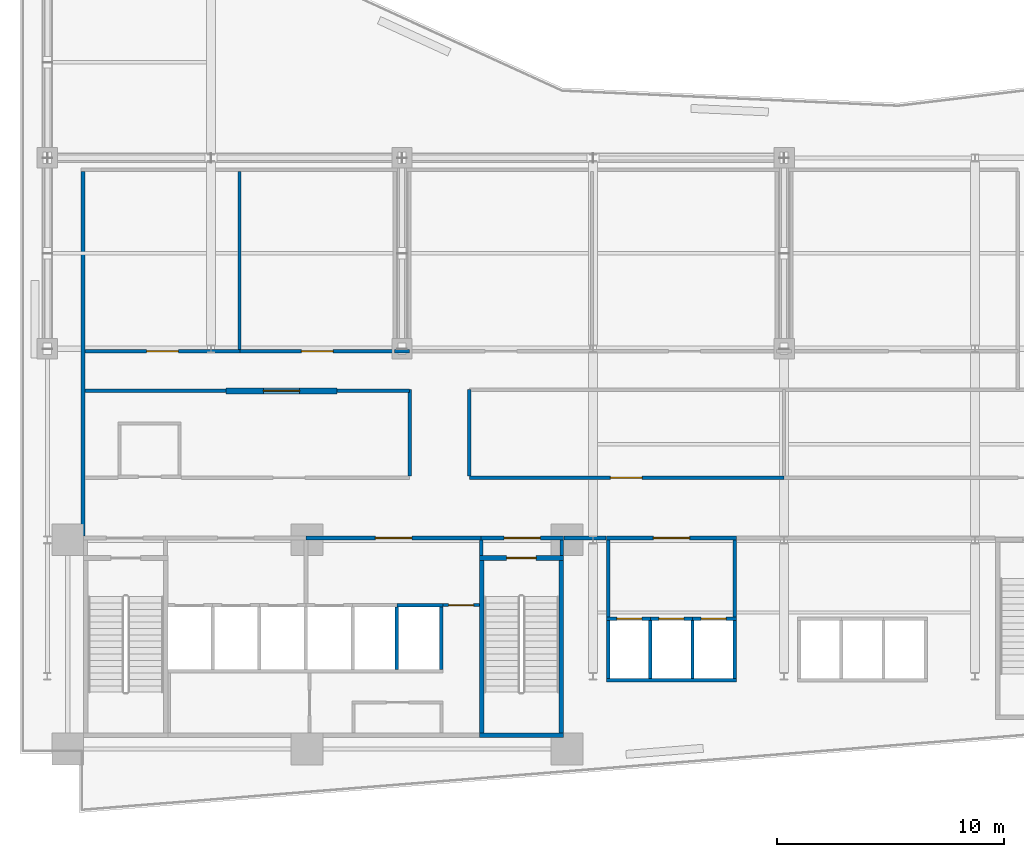
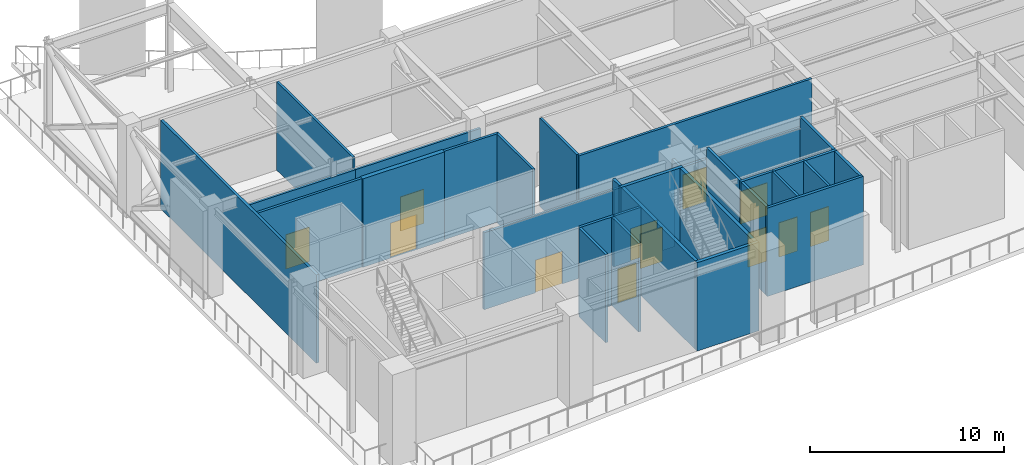
# One storey, part 7 of 14: 35 walls, 12 doors, 12 openings.
"""IFC4 building model written with IfcOpenShell, lengths in metres."""

from ifc_helpers import new_model, si_unit, direction, frame, frame_2d, origin, place, context, subcontext, project, spatial, rectangle, extrude, material, layer, layer_set, type_object, element, fill, save


model = new_model("IFC4")

# Units and contexts
model_context = context("Model", 3, precision=1e-05, world=origin(), true_north=direction((0.0, 1.0)))
body_context = subcontext(model_context, "Body", "Model", "MODEL_VIEW")
ifc_project = project(units=[si_unit("LENGTHUNIT", "METRE"), si_unit("AREAUNIT", "SQUARE_METRE"), si_unit("VOLUMEUNIT", "CUBIC_METRE"), si_unit("PLANEANGLEUNIT", "RADIAN"), si_unit("MASSUNIT", "GRAM", prefix="KILO")], contexts=[model_context])

# Site, building, storey
site_placement = place(None, origin())
site = spatial("IfcSite", under=ifc_project, at=site_placement, CompositionType="ELEMENT")
building_placement = place(site_placement, origin())
building = spatial("IfcBuilding", under=site, at=building_placement, Name="Varnakote Quay Hospital", CompositionType="ELEMENT")
storey_placement = place(building_placement, frame((0.0, 0.0, 97.550048828125)))
storey = spatial("IfcBuildingStorey", under=building, at=storey_placement, Name="L24", CompositionType="ELEMENT", Elevation=97.550048828125)

# Wall, opening, door
ifc_material_1 = material(Name="Fire-rated acoustic gypsum stud wall", Category="gypsum")
ifc_layer_1 = layer(ifc_material_1, 0.139892578125)
ifc_layer_set_1 = layer_set([ifc_layer_1], Name="Fire-rated acoustic gypsum stud wall")
wall_type_1 = type_object("IfcWallType", Name="WL-COMP-140", PredefinedType="PARTITIONING", material=ifc_layer_set_1)
wall_1_placement = place(storey_placement, frame((2.85009765625, 20.2900390625, 0.0), z_axis=(0.0, 0.0, 1.0), x_axis=(1.0, 0.0, 0.0)))
wall_1 = element("IfcWall", 1, at=wall_1_placement, inside=storey, type_object=wall_type_1, Name="L24 Central Chiller Mechanical Plant Corridor Wall", PredefinedType="PARTITIONING", context=body_context, shape_type="SweptSolid", body=[
    extrude(rectangle(XDim=6.829833984375, YDim=0.139892578125, at=frame_2d((3.4150390625, 0.0))), origin(), (0.0, 0.0, 1.0), 4.8349609375),
])
opening_1_placement = place(wall_1_placement, frame((2.715087890625, 0.0, 0.0)))
opening_1 = element("IfcOpeningElement", 2, at=opening_1_placement, cuts=wall_1, Name="Opening D-L24-CHIL", PredefinedType="OPENING", context=body_context, shape_type="SweptSolid", body=[
    extrude(rectangle(XDim=1.39990234375, YDim=2.14990234375, at=frame_2d((0.699951171875, 1.074951171875))), frame((0.0, 0.079833984375, 0.0), z_axis=(0.0, -1.0, 0.0), x_axis=(1.0, 0.0, 0.0)), (0.0, 0.0, 1.0), 0.159912109375),
])
ifc_material_2 = material(Name="Fire-rated acoustic plant room door")
door_type_1 = type_object("IfcDoorType", Name="DR-PLANT-FD60-1400x2150", OperationType="NOTDEFINED", PredefinedType="DOOR", material=ifc_material_2)
door_1_placement = place(opening_1_placement, origin())
door_1 = element("IfcDoor", 3, at=door_1_placement, inside=storey, type_object=door_type_1, Name="L24 Central Chiller Mechanical Plant Door", OperationType="SINGLE_SWING_RIGHT", OverallHeight=2.14990234375, OverallWidth=1.39990234375, PredefinedType="DOOR", context=body_context, shape_type="SweptSolid", body=[
    extrude(rectangle(XDim=1.39990234375, YDim=2.14990234375, at=frame_2d((0.699951171875, 1.074951171875))), frame((0.0, 0.02490234375, 0.0), z_axis=(0.0, -1.0, 0.0), x_axis=(1.0, 0.0, 0.0)), (0.0, 0.0, 1.0), 0.050048828125),
])
fill(opening_1, door_1)

wall_2_placement = place(storey_placement, frame((9.681884765625, 20.2900390625, 0.0), z_axis=(0.0, 0.0, 1.0), x_axis=(1.0, 0.0, 0.0)))
wall_2 = element("IfcWall", 4, at=wall_2_placement, inside=storey, type_object=wall_type_1, Name="L24 Clinical Air Handling Mechanical Plant Corridor Wall", PredefinedType="PARTITIONING", context=body_context, shape_type="SweptSolid", body=[
    extrude(rectangle(XDim=6.798095703125, YDim=0.139892578125, at=frame_2d((3.39892578125, 0.0))), origin(), (0.0, 0.0, 1.0), 4.8349609375),
])
opening_2_placement = place(wall_2_placement, frame((2.68798828125, 0.0, 0.0)))
opening_2 = element("IfcOpeningElement", 5, at=opening_2_placement, cuts=wall_2, Name="Opening D-L24-AHU1", PredefinedType="OPENING", context=body_context, shape_type="SweptSolid", body=[
    extrude(rectangle(XDim=1.39990234375, YDim=2.14990234375, at=frame_2d((0.699951171875, 1.074951171875))), frame((0.0, 0.079833984375, 0.0), z_axis=(0.0, -1.0, 0.0), x_axis=(1.0, 0.0, 0.0)), (0.0, 0.0, 1.0), 0.159912109375),
])
door_2_placement = place(opening_2_placement, origin())
door_2 = element("IfcDoor", 6, at=door_2_placement, inside=storey, type_object=door_type_1, Name="L24 Clinical Air Handling Mechanical Plant Door", OperationType="SINGLE_SWING_LEFT", OverallHeight=2.14990234375, OverallWidth=1.39990234375, PredefinedType="DOOR", context=body_context, shape_type="SweptSolid", body=[
    extrude(rectangle(XDim=1.39990234375, YDim=2.14990234375, at=frame_2d((0.699951171875, 1.074951171875))), frame((0.0, 0.02490234375, 0.0), z_axis=(0.0, -1.0, 0.0), x_axis=(1.0, 0.0, 0.0)), (0.0, 0.0, 1.0), 0.050048828125),
])
fill(opening_2, door_2)

# Walls
wall_3_placement = place(storey_placement, frame((16.47998046875, 20.2900390625, 0.0), z_axis=(0.0, 0.0, 1.0), x_axis=(1.0, 0.0, 0.0)))
element("IfcWall", 7, at=wall_3_placement, inside=storey, type_object=wall_type_1, Name="L24 Outrigger Bay Enclosure Wall", PredefinedType="PARTITIONING", context=body_context, shape_type="SweptSolid", body=[
    extrude(rectangle(XDim=0.64013671875, YDim=0.139892578125, at=frame_2d((0.320068359375, 0.0))), origin(), (0.0, 0.0, 1.0), 4.8349609375),
])
ifc_material_3 = material(Name="Fire-rated acoustic gypsum stud wall", Category="gypsum")
ifc_layer_2 = layer(ifc_material_3, 0.14990234375)
ifc_layer_set_2 = layer_set([ifc_layer_2], Name="Fire-rated acoustic gypsum stud wall")
wall_type_2 = type_object("IfcWallType", Name="WL-COMP-150", PredefinedType="PARTITIONING", material=ifc_layer_set_2)
wall_4_placement = place(storey_placement, frame((17.139892578125, 14.81005859375, 0.0), z_axis=(0.0, 0.0, 1.0), x_axis=(0.0, 1.0, 0.0)))
element("IfcWall", 8, at=wall_4_placement, inside=storey, type_object=wall_type_2, Name="L24 West Refuge Link Wall", PredefinedType="PARTITIONING", context=body_context, shape_type="SweptSolid", body=[
    extrude(rectangle(XDim=3.7900390625, YDim=0.14990234375, at=frame_2d((1.89501953125, 0.0))), origin(), (0.0, 0.0, 1.0), 5.56005859375),
])
wall_5_placement = place(storey_placement, frame((2.85009765625, 18.550048828125, 0.0), z_axis=(0.0, 0.0, 1.0), x_axis=(1.0, 0.0, 0.0)))
element("IfcWall", 9, at=wall_5_placement, inside=storey, type_object=wall_type_2, Name="L24 West Refuge North-West Wall", PredefinedType="PARTITIONING", context=body_context, shape_type="SweptSolid", body=[
    extrude(rectangle(XDim=6.212890625, YDim=0.14990234375, at=frame_2d((3.1064453125, 0.0))), origin(), (0.0, 0.0, 1.0), 5.56005859375),
])
wall_6_placement = place(storey_placement, frame((13.93701171875, 18.550048828125, 0.0), z_axis=(0.0, 0.0, 1.0), x_axis=(1.0, 0.0, 0.0)))
element("IfcWall", 10, at=wall_6_placement, inside=storey, type_object=wall_type_2, Name="L24 West Refuge North-East Wall", PredefinedType="PARTITIONING", context=body_context, shape_type="SweptSolid", body=[
    extrude(rectangle(XDim=3.202880859375, YDim=0.14990234375, at=frame_2d((1.6015625, 0.0))), origin(), (0.0, 0.0, 1.0), 5.56005859375),
])
wall_7_placement = place(storey_placement, frame((19.760009765625, 14.81005859375, 0.0), z_axis=(0.0, 0.0, 1.0), x_axis=(0.0, 1.0, 0.0)))
element("IfcWall", 11, at=wall_7_placement, inside=storey, type_object=wall_type_2, Name="L24 Central Refuge Link Wall", PredefinedType="PARTITIONING", context=body_context, shape_type="SweptSolid", body=[
    extrude(rectangle(XDim=3.7900390625, YDim=0.14990234375, at=frame_2d((1.89501953125, 0.0))), origin(), (0.0, 0.0, 1.0), 5.56005859375),
])

# Wall, opening, door
wall_8_placement = place(storey_placement, frame((19.760009765625, 14.72998046875, 0.0), z_axis=(0.0, 0.0, 1.0), x_axis=(1.0, 0.0, 0.0)))
wall_8 = element("IfcWall", 12, at=wall_8_placement, inside=storey, type_object=wall_type_2, Name="L24 Central Refuge Corridor Wall", PredefinedType="PARTITIONING", context=body_context, shape_type="SweptSolid", body=[
    extrude(rectangle(XDim=13.840087890625, YDim=0.14990234375, at=frame_2d((6.919921875, 0.0))), origin(), (0.0, 0.0, 1.0), 5.56005859375),
])
opening_3_placement = place(wall_8_placement, frame((6.199951171875, 0.0, 0.0)))
opening_3 = element("IfcOpeningElement", 13, at=opening_3_placement, cuts=wall_8, Name="Opening D-REF2-L24", PredefinedType="OPENING", context=body_context, shape_type="SweptSolid", body=[
    extrude(rectangle(XDim=1.39990234375, YDim=2.14990234375, at=frame_2d((0.699951171875, 1.074951171875))), frame((0.0, 0.0849609375, 0.0), z_axis=(0.0, -1.0, 0.0), x_axis=(1.0, 0.0, 0.0)), (0.0, 0.0, 1.0), 0.169921875),
])
door_3_placement = place(opening_3_placement, origin())
door_3 = element("IfcDoor", 14, at=door_3_placement, inside=storey, type_object=door_type_1, Name="L24 Fire Refuge Holding Area Central Door", OperationType="SINGLE_SWING_RIGHT", OverallHeight=2.14990234375, OverallWidth=1.39990234375, PredefinedType="DOOR", context=body_context, shape_type="SweptSolid", body=[
    extrude(rectangle(XDim=1.39990234375, YDim=2.14990234375, at=frame_2d((0.699951171875, 1.074951171875))), frame((0.0, 0.02490234375, 0.0), z_axis=(0.0, -1.0, 0.0), x_axis=(1.0, 0.0, 0.0)), (0.0, 0.0, 1.0), 0.050048828125),
])
fill(opening_3, door_3)

ifc_material_4 = material(Name="Fire-rated acoustic gypsum stud wall", Category="gypsum")
ifc_layer_3 = layer(ifc_material_4, 0.159912109375)
ifc_layer_set_3 = layer_set([ifc_layer_3], Name="Fire-rated acoustic gypsum stud wall")
wall_type_3 = type_object("IfcWallType", Name="WL-COMP-160", PredefinedType="PARTITIONING", material=ifc_layer_set_3)
wall_9_placement = place(storey_placement, frame((12.580078125, 12.080078125, 0.0), z_axis=(0.0, 0.0, 1.0), x_axis=(1.0, 0.0, 0.0)))
wall_9 = element("IfcWall", 15, at=wall_9_placement, inside=storey, type_object=wall_type_3, Name="L24 Clinical Bed Lift Lobby Wall", PredefinedType="PARTITIONING", context=body_context, shape_type="SweptSolid", body=[
    extrude(rectangle(XDim=7.699951171875, YDim=0.159912109375, at=frame_2d((3.85009765625, 0.0))), origin(), (0.0, 0.0, 1.0), 4.8349609375),
])
opening_4_placement = place(wall_9_placement, frame((3.050048828125, 0.0, 0.0)))
opening_4 = element("IfcOpeningElement", 16, at=opening_4_placement, cuts=wall_9, Name="Opening D-SVL-L24", PredefinedType="OPENING", context=body_context, shape_type="SweptSolid", body=[
    extrude(rectangle(XDim=1.60009765625, YDim=2.050048828125, at=frame_2d((0.800048828125, 1.02490234375))), frame((0.0, 0.08984375, 0.0), z_axis=(0.0, -1.0, 0.0), x_axis=(1.0, 0.0, 0.0)), (0.0, 0.0, 1.0), 0.179931640625),
])
ifc_material_5 = material(Name="Fire-rated double smoke lobby door")
door_type_2 = type_object("IfcDoorType", Name="DR-LOBBY-FD60S-1600x2150", OperationType="NOTDEFINED", PredefinedType="DOOR", material=ifc_material_5)
door_4_placement = place(opening_4_placement, origin())
door_4 = element("IfcDoor", 17, at=door_4_placement, inside=storey, type_object=door_type_2, Name="L24 Clinical Core Smoke Vestibule Door", OperationType="DOUBLE_DOOR_SINGLE_SWING", OverallHeight=2.050048828125, OverallWidth=1.60009765625, PredefinedType="DOOR", context=body_context, shape_type="SweptSolid", body=[
    extrude(rectangle(XDim=1.60009765625, YDim=2.050048828125, at=frame_2d((0.800048828125, 1.02490234375))), frame((0.0, 0.02490234375, 0.0), z_axis=(0.0, -1.0, 0.0), x_axis=(1.0, 0.0, 0.0)), (0.0, 0.0, 1.0), 0.050048828125),
])
fill(opening_4, door_4)

# Wall
wall_10_placement = place(storey_placement, frame((20.280029296875, 11.300048828125, 0.0), z_axis=(0.0, 0.0, 1.0), x_axis=(0.0, 1.0, 0.0)))
element("IfcWall", 18, at=wall_10_placement, inside=storey, type_object=wall_type_3, Name="L24 East Stair Vestibule Divider Wall", PredefinedType="PARTITIONING", context=body_context, shape_type="SweptSolid", body=[
    extrude(rectangle(XDim=0.699951171875, YDim=0.159912109375, at=frame_2d((0.35009765625, 0.0))), origin(), (0.0, 0.0, 1.0), 5.56005859375),
])

# Wall, opening, door
wall_11_placement = place(storey_placement, frame((20.280029296875, 12.080078125, 0.0), z_axis=(0.0, 0.0, 1.0), x_axis=(1.0, 0.0, 0.0)))
wall_11 = element("IfcWall", 19, at=wall_11_placement, inside=storey, type_object=wall_type_3, Name="L24 East Stair Vestibule Smoke Wall", PredefinedType="PARTITIONING", context=body_context, shape_type="SweptSolid", body=[
    extrude(rectangle(XDim=3.619873046875, YDim=0.159912109375, at=frame_2d((1.81005859375, 0.0))), origin(), (0.0, 0.0, 1.0), 4.8349609375),
])
opening_5_placement = place(wall_11_placement, frame((1.010009765625, 0.0, 0.0)))
opening_5 = element("IfcOpeningElement", 20, at=opening_5_placement, cuts=wall_11, Name="Opening D-ST2L-L24", PredefinedType="OPENING", context=body_context, shape_type="SweptSolid", body=[
    extrude(rectangle(XDim=1.60009765625, YDim=2.050048828125, at=frame_2d((0.800048828125, 1.02490234375))), frame((0.0, 0.08984375, 0.0), z_axis=(0.0, -1.0, 0.0), x_axis=(1.0, 0.0, 0.0)), (0.0, 0.0, 1.0), 0.179931640625),
])
door_5_placement = place(opening_5_placement, origin())
door_5 = element("IfcDoor", 21, at=door_5_placement, inside=storey, type_object=door_type_2, Name="L24 East Stair Vestibule Smoke Door", OperationType="DOUBLE_DOOR_SINGLE_SWING", OverallHeight=2.050048828125, OverallWidth=1.60009765625, PredefinedType="DOOR", context=body_context, shape_type="SweptSolid", body=[
    extrude(rectangle(XDim=1.60009765625, YDim=2.050048828125, at=frame_2d((0.800048828125, 1.02490234375))), frame((0.0, 0.02490234375, 0.0), z_axis=(0.0, -1.0, 0.0), x_axis=(1.0, 0.0, 0.0)), (0.0, 0.0, 1.0), 0.050048828125),
])
fill(opening_5, door_5)

# Walls
wall_12_placement = place(storey_placement, frame((23.820068359375, 11.300048828125, 0.0), z_axis=(0.0, 0.0, 1.0), x_axis=(0.0, 1.0, 0.0)))
element("IfcWall", 22, at=wall_12_placement, inside=storey, type_object=wall_type_3, Name="L24 East Stair Vestibule East Wall", PredefinedType="PARTITIONING", context=body_context, shape_type="SweptSolid", body=[
    extrude(rectangle(XDim=0.699951171875, YDim=0.159912109375, at=frame_2d((0.35009765625, 0.0))), origin(), (0.0, 0.0, 1.0), 5.56005859375),
])
for number, where, z_axis, x_axis, name in (
    (23, (25.8701171875, 8.610107421875, 0.0), (0.0, 0.0, 1.0), (0.0, 1.0, 0.0), "L24 Low-Rise Lift Lobby West Wall"),
    (24, (31.429931640625, 8.610107421875, 0.0), (0.0, 0.0, 1.0), (0.0, 1.0, 0.0), "L24 Low-Rise Lift Lobby East Wall"),
):
    element("IfcWall", number, at=place(storey_placement, frame(where, z_axis=z_axis, x_axis=x_axis)), inside=storey, type_object=wall_type_3, Name=name, PredefinedType="PARTITIONING", context=body_context, shape_type="SweptSolid", body=[
        extrude(rectangle(XDim=3.389892578125, YDim=0.159912109375, at=frame_2d((1.69482421875, 0.0))), origin(), (0.0, 0.0, 1.0), 5.56005859375),
    ])

# Wall, opening, door
wall_13_placement = place(storey_placement, frame((25.7900390625, 12.080078125, 0.0), z_axis=(0.0, 0.0, 1.0), x_axis=(1.0, 0.0, 0.0)))
wall_13 = element("IfcWall", 25, at=wall_13_placement, inside=storey, type_object=wall_type_3, Name="L24 Low-Rise Lift Lobby North Wall", PredefinedType="PARTITIONING", context=body_context, shape_type="SweptSolid", body=[
    extrude(rectangle(XDim=5.719970703125, YDim=0.159912109375, at=frame_2d((2.85986328125, 0.0))), origin(), (0.0, 0.0, 1.0), 4.8349609375),
])
opening_6_placement = place(wall_13_placement, frame((2.06005859375, 0.0, 0.0)))
opening_6 = element("IfcOpeningElement", 26, at=opening_6_placement, cuts=wall_13, Name="Opening D-PLL-L24", PredefinedType="OPENING", context=body_context, shape_type="SweptSolid", body=[
    extrude(rectangle(XDim=1.60009765625, YDim=2.050048828125, at=frame_2d((0.800048828125, 1.02490234375))), frame((0.0, 0.08984375, 0.0), z_axis=(0.0, -1.0, 0.0), x_axis=(1.0, 0.0, 0.0)), (0.0, 0.0, 1.0), 0.179931640625),
])
door_6_placement = place(opening_6_placement, origin())
door_6 = element("IfcDoor", 27, at=door_6_placement, inside=storey, type_object=door_type_2, Name="L24 Low-Rise Passenger Concourse Vestibule Door", OperationType="DOUBLE_DOOR_SINGLE_SWING", OverallHeight=2.050048828125, OverallWidth=1.60009765625, PredefinedType="DOOR", context=body_context, shape_type="SweptSolid", body=[
    extrude(rectangle(XDim=1.60009765625, YDim=2.050048828125, at=frame_2d((0.800048828125, 1.02490234375))), frame((0.0, 0.02490234375, 0.0), z_axis=(0.0, -1.0, 0.0), x_axis=(1.0, 0.0, 0.0)), (0.0, 0.0, 1.0), 0.050048828125),
])
fill(opening_6, door_6)

# Walls
wall_14_placement = place(storey_placement, frame((2.77001953125, 12.159912109375, 0.0), z_axis=(0.0, 0.0, 1.0), x_axis=(0.0, 1.0, 0.0)))
element("IfcWall", 28, at=wall_14_placement, inside=storey, type_object=wall_type_3, Name="L24 Plant Block West Enclosure Wall", PredefinedType="PARTITIONING", context=body_context, shape_type="SweptSolid", body=[
    extrude(rectangle(XDim=16.0400390625, YDim=0.159912109375, at=frame_2d((8.02001953125, 0.0))), origin(), (0.0, 0.0, 1.0), 5.56005859375),
])
wall_15_placement = place(storey_placement, frame((23.919921875, 12.080078125, 0.0), z_axis=(0.0, 0.0, 1.0), x_axis=(1.0, 0.0, 0.0)))
element("IfcWall", 29, at=wall_15_placement, inside=storey, type_object=wall_type_3, Name="L24 Plant Corridor West Gap Wall", PredefinedType="PARTITIONING", context=body_context, shape_type="SweptSolid", body=[
    extrude(rectangle(XDim=1.860107421875, YDim=0.159912109375, at=frame_2d((0.93017578125, 0.0))), origin(), (0.0, 0.0, 1.0), 4.8349609375),
])

# Wall, opening, door
ifc_material_6 = material(Name="Precast concrete N50 (f'c 50 MPa)", Category="concrete")
ifc_layer_4 = layer(ifc_material_6, 0.260009765625)
ifc_layer_set_4 = layer_set([ifc_layer_4], Name="Precast concrete N50 (f'c 50 MPa)")
wall_type_4 = type_object("IfcWallType", Name="WL-EXT-BRICK-260", PredefinedType="STANDARD", material=ifc_layer_set_4)
wall_16_placement = place(storey_placement, frame((9.06494140625, 18.550048828125, 0.0), z_axis=(0.0, 0.0, 1.0), x_axis=(1.0, 0.0, 0.0)))
wall_16 = element("IfcWall", 30, at=wall_16_placement, inside=storey, type_object=wall_type_4, Name="L24 Wind Deck Refuge Portal Wall", PredefinedType="STANDARD", context=body_context, shape_type="SweptSolid", body=[
    extrude(rectangle(XDim=4.8701171875, YDim=0.260009765625, at=frame_2d((2.43505859375, 0.0))), origin(), (0.0, 0.0, 1.0), 5.56005859375),
])
opening_7_placement = place(wall_16_placement, frame((1.635009765625, 0.0, 0.0)))
opening_7 = element("IfcOpeningElement", 31, at=opening_7_placement, cuts=wall_16, Name="Opening DE-WND-L24", PredefinedType="OPENING", context=body_context, shape_type="SweptSolid", body=[
    extrude(rectangle(XDim=1.60009765625, YDim=2.199951171875, at=frame_2d((0.800048828125, 1.10009765625))), frame((0.0, 0.139892578125, 0.0), z_axis=(0.0, -1.0, 0.0), x_axis=(1.0, 0.0, 0.0)), (0.0, 0.0, 1.0), 0.280029296875),
])
ifc_material_7 = material(Name="Galvanised steel acoustic exit door", Category="steel")
door_type_3 = type_object("IfcDoorType", Name="DR-EXT-EXIT-1600x2200", OperationType="NOTDEFINED", PredefinedType="DOOR", material=ifc_material_7)
door_7_placement = place(opening_7_placement, origin())
door_7 = element("IfcDoor", 32, at=door_7_placement, inside=storey, type_object=door_type_3, Name="L24 Open Wind Deck Refuge Door", OperationType="DOUBLE_DOOR_SINGLE_SWING", OverallHeight=2.199951171875, OverallWidth=1.60009765625, PredefinedType="DOOR", context=body_context, shape_type="SweptSolid", body=[
    extrude(rectangle(XDim=1.60009765625, YDim=2.199951171875, at=frame_2d((0.800048828125, 1.10009765625))), frame((0.0, 0.02490234375, 0.0), z_axis=(0.0, -1.0, 0.0), x_axis=(1.0, 0.0, 0.0)), (0.0, 0.0, 1.0), 0.050048828125),
])
fill(opening_7, door_7)

# Walls
ifc_material_8 = material(Name="Concrete N50 (f'c 50 MPa)", Category="concrete")
ifc_layer_5 = layer(ifc_material_8, 0.14990234375)
ifc_layer_set_5 = layer_set([ifc_layer_5], Name="Concrete N50 (f'c 50 MPa)")
wall_type_5 = type_object("IfcWallType", Name="WL-SHAFT-N50-150", PredefinedType="SHEAR", material=ifc_layer_set_5)
wall_17_placement = place(storey_placement, frame((16.574951171875, 6.300048828125, 0.0), z_axis=(0.0, 0.0, 1.0), x_axis=(0.0, 1.0, 0.0)))
element("IfcWall", 33, at=wall_17_placement, inside=storey, type_object=wall_type_5, Name="L24 LF-PH1 Hoistway Divider Wall", PredefinedType="SHEAR", context=body_context, shape_type="SweptSolid", body=[
    extrude(rectangle(XDim=2.75, YDim=0.14990234375, at=frame_2d((1.375, 0.0))), origin(), (0.0, 0.0, 1.0), 5.56005859375),
])
for number, where, z_axis, x_axis, name in (
    (34, (27.72509765625, 5.89990234375, 0.0), (0.0, 0.0, 1.0), (0.0, 1.0, 0.0), "L24 LF-PL1 Hoistway Divider Wall"),
    (35, (29.574951171875, 5.89990234375, 0.0), (0.0, 0.0, 1.0), (0.0, 1.0, 0.0), "L24 LF-PL2 Hoistway Divider Wall"),
):
    element("IfcWall", number, at=place(storey_placement, frame(where, z_axis=z_axis, x_axis=x_axis)), inside=storey, type_object=wall_type_5, Name=name, PredefinedType="SHEAR", context=body_context, shape_type="SweptSolid", body=[
        extrude(rectangle(XDim=2.550048828125, YDim=0.14990234375, at=frame_2d((1.27490234375, 0.0))), origin(), (0.0, 0.0, 1.0), 5.56005859375),
    ])
ifc_material_9 = material(Name="Concrete N50 (f'c 50 MPa)", Category="concrete")
ifc_layer_6 = layer(ifc_material_9, 0.159912109375)
ifc_layer_set_6 = layer_set([ifc_layer_6], Name="Concrete N50 (f'c 50 MPa)")
wall_type_6 = type_object("IfcWallType", Name="WL-SHAFT-N50-160", PredefinedType="SHEAR", material=ifc_layer_set_6)
wall_18_placement = place(storey_placement, frame((18.530029296875, 6.300048828125, 0.0), z_axis=(0.0, 0.0, 1.0), x_axis=(0.0, 1.0, 0.0)))
element("IfcWall", 36, at=wall_18_placement, inside=storey, type_object=wall_type_6, Name="L24 REAR Lift Bank East Shear Wall", PredefinedType="SHEAR", context=body_context, shape_type="SweptSolid", body=[
    extrude(rectangle(XDim=2.75, YDim=0.159912109375, at=frame_2d((1.375, 0.0))), origin(), (0.0, 0.0, 1.0), 5.56005859375),
])
wall_19_placement = place(storey_placement, frame((16.574951171875, 9.1298828125, 0.0), z_axis=(0.0, 0.0, 1.0), x_axis=(1.0, 0.0, 0.0)))
element("IfcWall", 37, at=wall_19_placement, inside=storey, type_object=wall_type_6, Name="L24 LF-PH2 Hoistway Front Wall", PredefinedType="SHEAR", context=body_context, shape_type="SweptSolid", body=[
    extrude(rectangle(XDim=2.03515625, YDim=0.159912109375, at=frame_2d((1.017578125, 0.0))), origin(), (0.0, 0.0, 1.0), 5.56005859375),
])
wall_20_placement = place(storey_placement, frame((25.7900390625, 5.820068359375, 0.0), z_axis=(0.0, 0.0, 1.0), x_axis=(1.0, 0.0, 0.0)))
element("IfcWall", 38, at=wall_20_placement, inside=storey, type_object=wall_type_6, Name="L24 LOW Lift Bank Back Shear Wall", PredefinedType="SHEAR", context=body_context, shape_type="SweptSolid", body=[
    extrude(rectangle(XDim=5.719970703125, YDim=0.159912109375, at=frame_2d((2.85986328125, 0.0))), origin(), (0.0, 0.0, 1.0), 5.56005859375),
])
for number, where, z_axis, x_axis, name in (
    (39, (25.8701171875, 5.89990234375, 0.0), (0.0, 0.0, 1.0), (0.0, 1.0, 0.0), "L24 LOW Lift Bank West Shear Wall"),
    (40, (31.429931640625, 5.89990234375, 0.0), (0.0, 0.0, 1.0), (0.0, 1.0, 0.0), "L24 LOW Lift Bank East Shear Wall"),
):
    element("IfcWall", number, at=place(storey_placement, frame(where, z_axis=z_axis, x_axis=x_axis)), inside=storey, type_object=wall_type_6, Name=name, PredefinedType="SHEAR", context=body_context, shape_type="SweptSolid", body=[
        extrude(rectangle(XDim=2.550048828125, YDim=0.159912109375, at=frame_2d((1.27490234375, 0.0))), origin(), (0.0, 0.0, 1.0), 5.56005859375),
    ])

# Wall, opening, door
wall_21_placement = place(storey_placement, frame((25.7900390625, 8.530029296875, 0.0), z_axis=(0.0, 0.0, 1.0), x_axis=(1.0, 0.0, 0.0)))
wall_21 = element("IfcWall", 41, at=wall_21_placement, inside=storey, type_object=wall_type_6, Name="L24 LF-PL1 Hoistway Front Wall", PredefinedType="SHEAR", context=body_context, shape_type="SweptSolid", body=[
    extrude(rectangle(XDim=1.93505859375, YDim=0.159912109375, at=frame_2d((0.967529296875, 0.0))), origin(), (0.0, 0.0, 1.0), 5.56005859375),
])
opening_8_placement = place(wall_21_placement, frame((0.4599609375, 0.0, 0.0)))
opening_8 = element("IfcOpeningElement", 42, at=opening_8_placement, cuts=wall_21, Name="Opening LD-PL1-L24", PredefinedType="OPENING", context=body_context, shape_type="SweptSolid", body=[
    extrude(rectangle(XDim=1.10009765625, YDim=2.14990234375, at=frame_2d((0.550048828125, 1.074951171875))), frame((0.0, 0.08984375, 0.0), z_axis=(0.0, -1.0, 0.0), x_axis=(1.0, 0.0, 0.0)), (0.0, 0.0, 1.0), 0.179931640625),
])
ifc_material_10 = material(Name="Brushed bronze lift landing sliding door")
door_type_4 = type_object("IfcDoorType", Name="DR-LIFT-LD-1100x2150", OperationType="NOTDEFINED", PredefinedType="DOOR", material=ifc_material_10)
door_8_placement = place(opening_8_placement, origin())
door_8 = element("IfcDoor", 43, at=door_8_placement, inside=storey, type_object=door_type_4, Name="L24 LF-PL1 Lift Landing Sliding Door", OperationType="SLIDING_TO_LEFT", OverallHeight=2.14990234375, OverallWidth=1.10009765625, PredefinedType="DOOR", context=body_context, shape_type="SweptSolid", body=[
    extrude(rectangle(XDim=1.10009765625, YDim=2.14990234375, at=frame_2d((0.550048828125, 1.074951171875))), frame((0.0, 0.02490234375, 0.0), z_axis=(0.0, -1.0, 0.0), x_axis=(1.0, 0.0, 0.0)), (0.0, 0.0, 1.0), 0.050048828125),
])
fill(opening_8, door_8)

wall_22_placement = place(storey_placement, frame((27.72509765625, 8.530029296875, 0.0), z_axis=(0.0, 0.0, 1.0), x_axis=(1.0, 0.0, 0.0)))
wall_22 = element("IfcWall", 44, at=wall_22_placement, inside=storey, type_object=wall_type_6, Name="L24 LF-PL2 Hoistway Front Wall", PredefinedType="SHEAR", context=body_context, shape_type="SweptSolid", body=[
    extrude(rectangle(XDim=1.849853515625, YDim=0.159912109375, at=frame_2d((0.9248046875, 0.0))), origin(), (0.0, 0.0, 1.0), 5.56005859375),
])
opening_9_placement = place(wall_22_placement, frame((0.375, 0.0, 0.0)))
opening_9 = element("IfcOpeningElement", 45, at=opening_9_placement, cuts=wall_22, Name="Opening LD-PL2-L24", PredefinedType="OPENING", context=body_context, shape_type="SweptSolid", body=[
    extrude(rectangle(XDim=1.10009765625, YDim=2.14990234375, at=frame_2d((0.550048828125, 1.074951171875))), frame((0.0, 0.08984375, 0.0), z_axis=(0.0, -1.0, 0.0), x_axis=(1.0, 0.0, 0.0)), (0.0, 0.0, 1.0), 0.179931640625),
])
door_9_placement = place(opening_9_placement, origin())
door_9 = element("IfcDoor", 46, at=door_9_placement, inside=storey, type_object=door_type_4, Name="L24 LF-PL2 Lift Landing Sliding Door", OperationType="SLIDING_TO_LEFT", OverallHeight=2.14990234375, OverallWidth=1.10009765625, PredefinedType="DOOR", context=body_context, shape_type="SweptSolid", body=[
    extrude(rectangle(XDim=1.10009765625, YDim=2.14990234375, at=frame_2d((0.550048828125, 1.074951171875))), frame((0.0, 0.02490234375, 0.0), z_axis=(0.0, -1.0, 0.0), x_axis=(1.0, 0.0, 0.0)), (0.0, 0.0, 1.0), 0.050048828125),
])
fill(opening_9, door_9)

wall_23_placement = place(storey_placement, frame((29.574951171875, 8.530029296875, 0.0), z_axis=(0.0, 0.0, 1.0), x_axis=(1.0, 0.0, 0.0)))
wall_23 = element("IfcWall", 47, at=wall_23_placement, inside=storey, type_object=wall_type_6, Name="L24 LF-PL3 Hoistway Front Wall", PredefinedType="SHEAR", context=body_context, shape_type="SweptSolid", body=[
    extrude(rectangle(XDim=1.93505859375, YDim=0.159912109375, at=frame_2d((0.967529296875, 0.0))), origin(), (0.0, 0.0, 1.0), 5.56005859375),
])
opening_10_placement = place(wall_23_placement, frame((0.375, 0.0, 0.0)))
opening_10 = element("IfcOpeningElement", 48, at=opening_10_placement, cuts=wall_23, Name="Opening LD-PL3-L24", PredefinedType="OPENING", context=body_context, shape_type="SweptSolid", body=[
    extrude(rectangle(XDim=1.10009765625, YDim=2.14990234375, at=frame_2d((0.550048828125, 1.074951171875))), frame((0.0, 0.08984375, 0.0), z_axis=(0.0, -1.0, 0.0), x_axis=(1.0, 0.0, 0.0)), (0.0, 0.0, 1.0), 0.179931640625),
])
door_10_placement = place(opening_10_placement, origin())
door_10 = element("IfcDoor", 49, at=door_10_placement, inside=storey, type_object=door_type_4, Name="L24 LF-PL3 Lift Landing Sliding Door", OperationType="SLIDING_TO_LEFT", OverallHeight=2.14990234375, OverallWidth=1.10009765625, PredefinedType="DOOR", context=body_context, shape_type="SweptSolid", body=[
    extrude(rectangle(XDim=1.10009765625, YDim=2.14990234375, at=frame_2d((0.550048828125, 1.074951171875))), frame((0.0, 0.02490234375, 0.0), z_axis=(0.0, -1.0, 0.0), x_axis=(1.0, 0.0, 0.0)), (0.0, 0.0, 1.0), 0.050048828125),
])
fill(opening_10, door_10)

# Walls
ifc_material_11 = material(Name="Concrete N50 (f'c 50 MPa)", Category="concrete")
ifc_layer_7 = layer(ifc_material_11, 0.199951171875)
ifc_layer_set_7 = layer_set([ifc_layer_7], Name="Concrete N50 (f'c 50 MPa)")
wall_type_7 = type_object("IfcWallType", Name="WL-SHAFT-N50-200", PredefinedType="SHEAR", material=ifc_layer_set_7)
wall_24_placement = place(storey_placement, frame((20.199951171875, 3.39990234375, 0.0), z_axis=(0.0, 0.0, 1.0), x_axis=(1.0, 0.0, 0.0)))
element("IfcWall", 50, at=wall_24_placement, inside=storey, type_object=wall_type_7, Name="L24 Stair ST2 South Shaft Wall", PredefinedType="SHEAR", context=body_context, shape_type="SweptSolid", body=[
    extrude(rectangle(XDim=3.699951171875, YDim=0.199951171875, at=frame_2d((1.85009765625, 0.0))), origin(), (0.0, 0.0, 1.0), 5.56005859375),
])
for number, where, z_axis, x_axis, name in (
    (51, (20.300048828125, 3.5, 0.0), (0.0, 0.0, 1.0), (0.0, 1.0, 0.0), "L24 Stair ST2 West Shaft Wall"),
    (52, (23.800048828125, 3.5, 0.0), (0.0, 0.0, 1.0), (0.0, 1.0, 0.0), "L24 Stair ST2 East Shaft Wall"),
):
    element("IfcWall", number, at=place(storey_placement, frame(where, z_axis=z_axis, x_axis=x_axis)), inside=storey, type_object=wall_type_7, Name=name, PredefinedType="SHEAR", context=body_context, shape_type="SweptSolid", body=[
        extrude(rectangle(XDim=7.60009765625, YDim=0.199951171875, at=frame_2d((3.800048828125, 0.0))), origin(), (0.0, 0.0, 1.0), 5.56005859375),
    ])

# Wall, opening, door
wall_25_placement = place(storey_placement, frame((20.199951171875, 11.199951171875, 0.0), z_axis=(0.0, 0.0, 1.0), x_axis=(1.0, 0.0, 0.0)))
wall_25 = element("IfcWall", 53, at=wall_25_placement, inside=storey, type_object=wall_type_7, Name="L24 Stair ST2 Exit Wall", PredefinedType="SHEAR", context=body_context, shape_type="SweptSolid", body=[
    extrude(rectangle(XDim=3.699951171875, YDim=0.199951171875, at=frame_2d((1.85009765625, 0.0))), origin(), (0.0, 0.0, 1.0), 5.56005859375),
])
opening_11_placement = place(wall_25_placement, frame((1.199951171875, 0.0, 0.0)))
opening_11 = element("IfcOpeningElement", 54, at=opening_11_placement, cuts=wall_25, Name="Opening D-ST2-L24", PredefinedType="OPENING", context=body_context, shape_type="SweptSolid", body=[
    extrude(rectangle(XDim=1.300048828125, YDim=2.14990234375, at=frame_2d((0.64990234375, 1.074951171875))), frame((0.0, 0.10986328125, 0.0), z_axis=(0.0, -1.0, 0.0), x_axis=(1.0, 0.0, 0.0)), (0.0, 0.0, 1.0), 0.219970703125),
])
ifc_material_12 = material(Name="Fire-rated ceramic-glazed timber exit door", Category="wood")
door_type_5 = type_object("IfcDoorType", Name="DR-STAIR-FD60S-1300x2150", OperationType="NOTDEFINED", PredefinedType="DOOR", material=ifc_material_12)
door_11_placement = place(opening_11_placement, origin())
door_11 = element("IfcDoor", 55, at=door_11_placement, inside=storey, type_object=door_type_5, Name="L24 Stair ST2 Fire Exit Door", OperationType="SINGLE_SWING_LEFT", OverallHeight=2.14990234375, OverallWidth=1.300048828125, PredefinedType="DOOR", context=body_context, shape_type="SweptSolid", body=[
    extrude(rectangle(XDim=1.300048828125, YDim=2.14990234375, at=frame_2d((0.64990234375, 1.074951171875))), frame((0.0, 0.02490234375, 0.0), z_axis=(0.0, -1.0, 0.0), x_axis=(1.0, 0.0, 0.0)), (0.0, 0.0, 1.0), 0.050048828125),
])
fill(opening_11, door_11)

# Wall
ifc_material_13 = material(Name="Smoke-proof clinical partition", Category="gypsum")
ifc_layer_8 = layer(ifc_material_13, 0.135009765625)
ifc_layer_set_8 = layer_set([ifc_layer_8], Name="Smoke-proof clinical partition")
wall_type_8 = type_object("IfcWallType", Name="WL-SMOKE-135", PredefinedType="PARTITIONING", material=ifc_layer_set_8)
wall_26_placement = place(storey_placement, frame((9.659912109375, 20.360107421875, 0.0), z_axis=(0.0, 0.0, 1.0), x_axis=(0.0, 1.0, 0.0)))
element("IfcWall", 56, at=wall_26_placement, inside=storey, type_object=wall_type_8, Name="L24 Clinical Air Handling Mechanical Plant West Wall", PredefinedType="PARTITIONING", context=body_context, shape_type="SweptSolid", body=[
    extrude(rectangle(XDim=7.83984375, YDim=0.135009765625, at=frame_2d((3.919921875, 0.0))), origin(), (0.0, 0.0, 1.0), 5.56005859375),
])

# Wall, opening, door
ifc_material_14 = material(Name="Fire-rated clinical gypsum partition", Category="gypsum")
ifc_layer_9 = layer(ifc_material_14, 0.139892578125)
ifc_layer_set_9 = layer_set([ifc_layer_9], Name="Fire-rated clinical gypsum partition")
wall_type_9 = type_object("IfcWallType", Name="WL-WARD-140", PredefinedType="PARTITIONING", material=ifc_layer_set_9)
wall_27_placement = place(storey_placement, frame((18.610107421875, 9.1298828125, 0.0), z_axis=(0.0, 0.0, 1.0), x_axis=(1.0, 0.0, 0.0)))
wall_27 = element("IfcWall", 57, at=wall_27_placement, inside=storey, type_object=wall_type_9, Name="L24 Core Service Corridor North Door Wall", PredefinedType="PARTITIONING", context=body_context, shape_type="SweptSolid", body=[
    extrude(rectangle(XDim=1.58984375, YDim=0.139892578125, at=frame_2d((0.794921875, 0.0))), origin(), (0.0, 0.0, 1.0), 5.56005859375),
])
opening_12_placement = place(wall_27_placement, frame((0.239990234375, 0.0, 0.0)))
opening_12 = element("IfcOpeningElement", 58, at=opening_12_placement, cuts=wall_27, Name="Opening D-CSRV-L24", PredefinedType="OPENING", context=body_context, shape_type="SweptSolid", body=[
    extrude(rectangle(XDim=1.10009765625, YDim=2.10009765625, at=frame_2d((0.550048828125, 1.050048828125))), frame((0.0, 0.079833984375, 0.0), z_axis=(0.0, -1.0, 0.0), x_axis=(1.0, 0.0, 0.0)), (0.0, 0.0, 1.0), 0.159912109375),
])
ifc_material_15 = material(Name="Acoustic timber clinical consult door", Category="wood")
door_type_6 = type_object("IfcDoorType", Name="DR-CLIN-FD30S-1100x2100", OperationType="NOTDEFINED", PredefinedType="DOOR", material=ifc_material_15)
door_12_placement = place(opening_12_placement, origin())
door_12 = element("IfcDoor", 59, at=door_12_placement, inside=storey, type_object=door_type_6, Name="L24 Core Service Corridor Door", OperationType="SINGLE_SWING_LEFT", OverallHeight=2.10009765625, OverallWidth=1.10009765625, PredefinedType="DOOR", context=body_context, shape_type="SweptSolid", body=[
    extrude(rectangle(XDim=1.10009765625, YDim=2.10009765625, at=frame_2d((0.550048828125, 1.050048828125))), frame((0.0, 0.02490234375, 0.0), z_axis=(0.0, -1.0, 0.0), x_axis=(1.0, 0.0, 0.0)), (0.0, 0.0, 1.0), 0.050048828125),
])
fill(opening_12, door_12)

save(model, "model.ifc")
